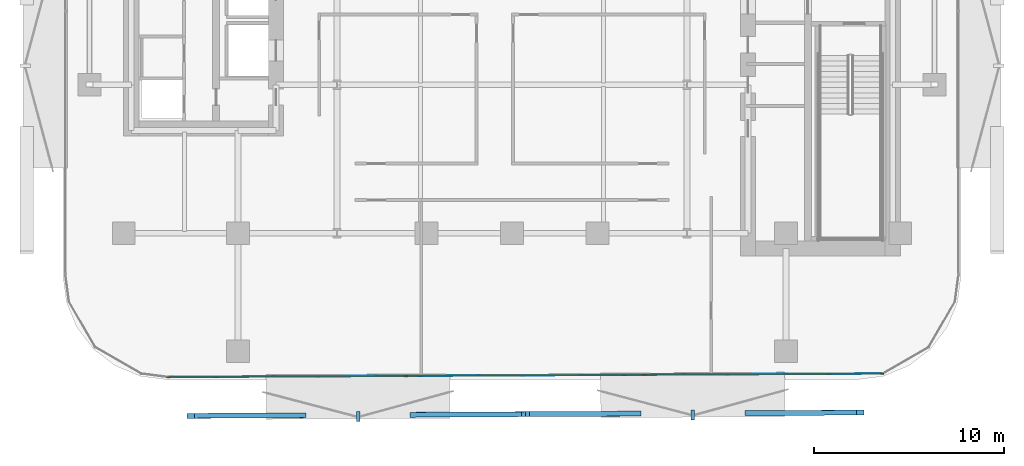
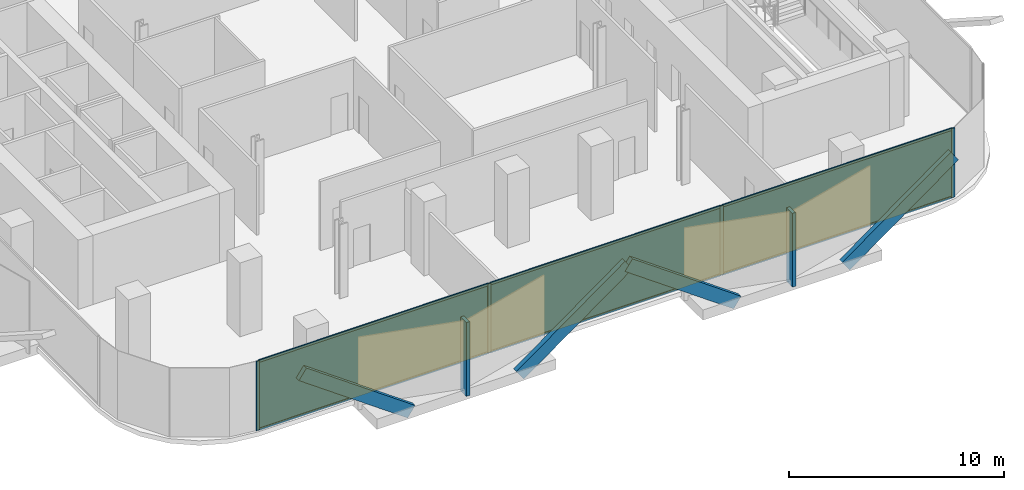
# One storey, part 7 of 15: 16 members, 3 plates, 1 curtain wall.
"""IFC4 building model written with IfcOpenShell, lengths in metres."""

from ifc_helpers import new_model, si_unit, direction, frame, frame_2d, origin, origin_2d, place, context, subcontext, project, spatial, rectangle, extrude, material, layer, layer_set, material_profile, profile_set, type_object, element, aggregate, save


model = new_model("IFC4")

# Units and contexts
model_context = context("Model", 3, precision=1e-05, world=origin(), true_north=direction((0.0, 1.0)))
body_context = subcontext(model_context, "Body", "Model", "MODEL_VIEW")
ifc_project = project(units=[si_unit("LENGTHUNIT", "METRE"), si_unit("AREAUNIT", "SQUARE_METRE"), si_unit("VOLUMEUNIT", "CUBIC_METRE"), si_unit("PLANEANGLEUNIT", "RADIAN"), si_unit("MASSUNIT", "GRAM", prefix="KILO")], contexts=[model_context])

# Member
ifc_material_1 = material(Name="Anodised Bronze Aluminium 6063-T6", Category="aluminium")
ifc_material_profile_1 = material_profile(ifc_material_1, rectangle(XDim=0.260009765625, YDim=0.699951171875, at=origin_2d()))
ifc_profile_set_1 = profile_set([ifc_material_profile_1], Name="Anodised Bronze Aluminium 6063-T6")
member_type_1 = type_object("IfcMemberType", Name="Bronze Diamond Solar-Screen Lattice Rib BDL-700", PredefinedType="MULLION", material=ifc_profile_set_1)
site_placement = place(None, origin())
building_placement = place(site_placement, origin())
storey_placement = place(building_placement, frame((0.0, 0.0, 114.199951171875)))
member_1_placement = place(storey_placement, frame((6.571044921875, -28.079345703125, -0.1298828125), z_axis=(-0.812934840677, -0.003994433113, 0.582340956243), x_axis=(-0.007759286777, 0.999962004517, -0.003972781225)))
member_1 = element("IfcMember", 1, at=member_1_placement, type_object=member_type_1, Name="L26 Bronze Diamond Solar Screen Lattice Rib 153A", PredefinedType="MULLION", context=body_context, shape_type="SweptSolid", body=[
    extrude(rectangle(XDim=0.260009765625, YDim=0.699951171875, at=origin_2d()), origin(), (0.0, 0.0, 1.0), 7.212158203125),
])

member_2_placement = place(storey_placement, frame((12.43408203125, -28.05078125, -0.1298828125), z_axis=(0.812934840677, 0.003994433113, 0.582340956243), x_axis=(0.007759286777, -0.999962004517, -0.003972781225)))
member_2 = element("IfcMember", 2, at=member_2_placement, type_object=member_type_1, Name="L26 Bronze Diamond Solar Screen Lattice Rib 153B", PredefinedType="MULLION", context=body_context, shape_type="SweptSolid", body=[
    extrude(rectangle(XDim=0.260009765625, YDim=0.699951171875, at=origin_2d()), origin(), (0.0, 0.0, 1.0), 7.212158203125),
])

member_3_placement = place(storey_placement, frame((-11.017822265625, -28.165283203125, -0.1298828125), z_axis=(-0.812934840677, -0.003994433113, 0.582340956243), x_axis=(-0.007759286777, 0.999962004517, -0.003972781225)))
member_3 = element("IfcMember", 3, at=member_3_placement, type_object=member_type_1, Name="L26 Bronze Diamond Solar Screen Lattice Rib 154A", PredefinedType="MULLION", context=body_context, shape_type="SweptSolid", body=[
    extrude(rectangle(XDim=0.260009765625, YDim=0.699951171875, at=origin_2d()), origin(), (0.0, 0.0, 1.0), 7.212158203125),
])

member_4_placement = place(storey_placement, frame((-5.15478515625, -28.13671875, -0.1298828125), z_axis=(0.812923469496, 0.00396069151, 0.582357060287), x_axis=(0.007717930273, -0.999962324795, -0.003972724849)))
member_4 = element("IfcMember", 4, at=member_4_placement, type_object=member_type_1, Name="L26 Bronze Diamond Solar Screen Lattice Rib 154B", PredefinedType="MULLION", context=body_context, shape_type="SweptSolid", body=[
    extrude(rectangle(XDim=0.260009765625, YDim=0.699951171875, at=origin_2d()), origin(), (0.0, 0.0, 1.0), 7.2119140625),
])

ifc_material_2 = material(Name="Anodised Bronze Aluminium 6063-T6", Category="aluminium")
ifc_material_profile_2 = material_profile(ifc_material_2, rectangle(XDim=0.179931640625, YDim=0.5400390625, at=origin_2d()))
ifc_profile_set_2 = profile_set([ifc_material_profile_2], Name="Anodised Bronze Aluminium 6063-T6")
member_type_2 = type_object("IfcMemberType", Name="Bronze Solar-Screen Vertical Fold Fin BSF-540", PredefinedType="MULLION", material=ifc_profile_set_2)
member_5_placement = place(storey_placement, frame((9.5029296875, -28.14501953125, -0.1298828125), z_axis=(0.0, 0.0, 1.0), x_axis=(-0.999988059021, -0.004886902454, 0.0)))
member_5 = element("IfcMember", 5, at=member_5_placement, type_object=member_type_2, Name="L26 Bronze Solar Screen Vertical Fin 153", PredefinedType="MULLION", context=body_context, shape_type="SweptSolid", body=[
    extrude(rectangle(XDim=0.179931640625, YDim=0.5400390625, at=origin_2d()), origin(), (0.0, 0.0, 1.0), 4.199951171875),
])

member_6_placement = place(storey_placement, frame((-8.0859375, -28.231201171875, -0.1298828125), z_axis=(0.0, 0.0, 1.0), x_axis=(-0.999988059021, -0.004886902454, 0.0)))
member_6 = element("IfcMember", 6, at=member_6_placement, type_object=member_type_2, Name="L26 Bronze Solar Screen Vertical Fin 154", PredefinedType="MULLION", context=body_context, shape_type="SweptSolid", body=[
    extrude(rectangle(XDim=0.179931640625, YDim=0.5400390625, at=origin_2d()), origin(), (0.0, 0.0, 1.0), 4.199951171875),
])

ifc_material_3 = material(Name="Anodised Bronze Aluminium 6063-T6", Category="aluminium")
ifc_material_profile_3 = material_profile(ifc_material_3, rectangle(XDim=0.06494140625, YDim=0.175048828125, at=origin_2d()))
ifc_profile_set_3 = profile_set([ifc_material_profile_3], Name="Anodised Bronze Aluminium 6063-T6")
member_type_3 = type_object("IfcMemberType", Name="CW-Z2 Mullion 65x175", PredefinedType="MULLION", material=ifc_profile_set_3)
member_7_placement = place(storey_placement, frame((19.45458984375, -25.976318359375, 0.0), z_axis=(0.0, 0.0, 1.0), x_axis=(0.004891127252, -0.999988038366, 0.0)))
member_7 = element("IfcMember", 7, at=member_7_placement, type_object=member_type_3, Name="CW-Z2 mullion 1", PredefinedType="MULLION", context=body_context, shape_type="SweptSolid", body=[
    extrude(rectangle(XDim=0.06494140625, YDim=0.175048828125, at=origin_2d()), origin(), (0.0, 0.0, 1.0), 3.93994140625),
])

member_8_placement = place(storey_placement, frame((6.961181640625, -26.037353515625, 0.0), z_axis=(0.0, 0.0, 1.0), x_axis=(0.004891127252, -0.999988038366, 0.0)))
member_8 = element("IfcMember", 8, at=member_8_placement, type_object=member_type_3, Name="CW-Z2 mullion 2", PredefinedType="MULLION", context=body_context, shape_type="SweptSolid", body=[
    extrude(rectangle(XDim=0.06494140625, YDim=0.175048828125, at=origin_2d()), origin(), (0.0, 0.0, 1.0), 3.93994140625),
])

member_9_placement = place(storey_placement, frame((-5.56494140625, -26.0986328125, 0.0), z_axis=(0.0, 0.0, 1.0), x_axis=(0.004891127252, -0.999988038366, 0.0)))
member_9 = element("IfcMember", 9, at=member_9_placement, type_object=member_type_3, Name="CW-Z2 mullion 3", PredefinedType="MULLION", context=body_context, shape_type="SweptSolid", body=[
    extrude(rectangle(XDim=0.06494140625, YDim=0.175048828125, at=origin_2d()), origin(), (0.0, 0.0, 1.0), 3.93994140625),
])

member_10_placement = place(storey_placement, frame((-18.058349609375, -26.159912109375, 0.0), z_axis=(0.0, 0.0, 1.0), x_axis=(0.004891127252, -0.999988038366, 0.0)))
member_10 = element("IfcMember", 10, at=member_10_placement, type_object=member_type_3, Name="CW-Z2 mullion 4", PredefinedType="MULLION", context=body_context, shape_type="SweptSolid", body=[
    extrude(rectangle(XDim=0.06494140625, YDim=0.175048828125, at=origin_2d()), origin(), (0.0, 0.0, 1.0), 3.93994140625),
])

ifc_material_4 = material(Name="Anodised Bronze Aluminium 6063-T6", Category="aluminium")
ifc_material_profile_4 = material_profile(ifc_material_4, rectangle(XDim=0.06494140625, YDim=0.135009765625, at=origin_2d()))
ifc_profile_set_4 = profile_set([ifc_material_profile_4], Name="Anodised Bronze Aluminium 6063-T6")
member_type_4 = type_object("IfcMemberType", Name="CW-Z2 Transom 65x135", PredefinedType="USERDEFINED", material=ifc_profile_set_4)
member_11_placement = place(storey_placement, frame((19.422119140625, -25.9765625, 0.032470703125), z_axis=(-0.999988037942, -0.00489121381, 0.0), x_axis=(0.00489121381, -0.999988037942, 0.0)))
member_11 = element("IfcMember", 11, at=member_11_placement, type_object=member_type_4, Name="CW-Z2 transom 1.1", ObjectType="TRANSOM", PredefinedType="USERDEFINED", context=body_context, shape_type="SweptSolid", body=[
    extrude(rectangle(XDim=0.06494140625, YDim=0.135009765625, at=origin_2d()), origin(), (0.0, 0.0, 1.0), 12.4287109375),
])

member_12_placement = place(storey_placement, frame((19.422119140625, -25.9765625, 3.907470703125), z_axis=(-0.999988037942, -0.00489121381, 0.0), x_axis=(0.00489121381, -0.999988037942, 0.0)))
member_12 = element("IfcMember", 12, at=member_12_placement, type_object=member_type_4, Name="CW-Z2 transom 1.2", ObjectType="TRANSOM", PredefinedType="USERDEFINED", context=body_context, shape_type="SweptSolid", body=[
    extrude(rectangle(XDim=0.06494140625, YDim=0.135009765625, at=origin_2d()), origin(), (0.0, 0.0, 1.0), 12.4287109375),
])

member_13_placement = place(storey_placement, frame((6.928466796875, -26.03759765625, 0.032470703125), z_axis=(-0.99998800443, -0.004898060367, 0.0), x_axis=(0.004898060367, -0.99998800443, 0.0)))
member_13 = element("IfcMember", 13, at=member_13_placement, type_object=member_type_4, Name="CW-Z2 transom 2.1", ObjectType="TRANSOM", PredefinedType="USERDEFINED", context=body_context, shape_type="SweptSolid", body=[
    extrude(rectangle(XDim=0.06494140625, YDim=0.135009765625, at=origin_2d()), origin(), (0.0, 0.0, 1.0), 12.461181640625),
])

member_14_placement = place(storey_placement, frame((6.928466796875, -26.03759765625, 3.907470703125), z_axis=(-0.99998800443, -0.004898060367, 0.0), x_axis=(0.004898060367, -0.99998800443, 0.0)))
member_14 = element("IfcMember", 14, at=member_14_placement, type_object=member_type_4, Name="CW-Z2 transom 2.2", ObjectType="TRANSOM", PredefinedType="USERDEFINED", context=body_context, shape_type="SweptSolid", body=[
    extrude(rectangle(XDim=0.06494140625, YDim=0.135009765625, at=origin_2d()), origin(), (0.0, 0.0, 1.0), 12.461181640625),
])

member_15_placement = place(storey_placement, frame((-5.597412109375, -26.098876953125, 0.032470703125), z_axis=(-0.999988037942, -0.00489121381, 0.0), x_axis=(0.00489121381, -0.999988037942, 0.0)))
member_15 = element("IfcMember", 15, at=member_15_placement, type_object=member_type_4, Name="CW-Z2 transom 3.1", ObjectType="TRANSOM", PredefinedType="USERDEFINED", context=body_context, shape_type="SweptSolid", body=[
    extrude(rectangle(XDim=0.06494140625, YDim=0.135009765625, at=origin_2d()), origin(), (0.0, 0.0, 1.0), 12.4287109375),
])

member_16_placement = place(storey_placement, frame((-5.597412109375, -26.098876953125, 3.907470703125), z_axis=(-0.999988037942, -0.00489121381, 0.0), x_axis=(0.00489121381, -0.999988037942, 0.0)))
member_16 = element("IfcMember", 16, at=member_16_placement, type_object=member_type_4, Name="CW-Z2 transom 3.2", ObjectType="TRANSOM", PredefinedType="USERDEFINED", context=body_context, shape_type="SweptSolid", body=[
    extrude(rectangle(XDim=0.06494140625, YDim=0.135009765625, at=origin_2d()), origin(), (0.0, 0.0, 1.0), 12.4287109375),
])

# Plate
ifc_material_5 = material(Name="Low-E Solar Control Laminated Glass", Category="glass")
ifc_layer_1 = layer(ifc_material_5, 0.028076171875, Name="Low-E Solar Control Laminated Glass")
ifc_layer_set_1 = layer_set([ifc_layer_1], Name="Low-E Solar Control Laminated Glass")
plate_type = type_object("IfcPlateType", Name="CW-Z2 Low-E Double Glazed Panel 28mm", PredefinedType="CURTAIN_PANEL", material=ifc_layer_set_1)
plate_1_placement = place(storey_placement, frame((13.207763671875, -26.0068359375, 0.06494140625), z_axis=(0.0, 0.0, 1.0), x_axis=(-0.999988038366, -0.004891127252, 0.0)))
plate_1 = element("IfcPlate", 17, at=plate_1_placement, type_object=plate_type, Name="CW-Z2 panel 1.1", PredefinedType="CURTAIN_PANEL", context=body_context, shape_type="SweptSolid", body=[
    extrude(rectangle(XDim=12.428466796875, YDim=0.028076171875, at=origin_2d()), origin(), (0.0, 0.0, 1.0), 3.81005859375),
])

plate_2_placement = place(storey_placement, frame((0.697998046875, -26.068115234375, 0.06494140625), z_axis=(0.0, 0.0, 1.0), x_axis=(-0.999988038366, -0.004891127252, 0.0)))
plate_2 = element("IfcPlate", 18, at=plate_2_placement, type_object=plate_type, Name="CW-Z2 panel 2.1", PredefinedType="CURTAIN_PANEL", context=body_context, shape_type="SweptSolid", body=[
    extrude(rectangle(XDim=12.461181640625, YDim=0.028076171875, at=origin_2d()), origin(), (0.0, 0.0, 1.0), 3.81005859375),
])

plate_3_placement = place(storey_placement, frame((-11.8115234375, -26.12939453125, 0.06494140625), z_axis=(0.0, 0.0, 1.0), x_axis=(-0.999988038366, -0.004891127252, 0.0)))
plate_3 = element("IfcPlate", 19, at=plate_3_placement, type_object=plate_type, Name="CW-Z2 panel 3.1", PredefinedType="CURTAIN_PANEL", context=body_context, shape_type="SweptSolid", body=[
    extrude(rectangle(XDim=12.428466796875, YDim=0.028076171875, at=origin_2d()), origin(), (0.0, 0.0, 1.0), 3.81005859375),
])

# Site, building, storey
site = spatial("IfcSite", under=ifc_project, at=site_placement, CompositionType="ELEMENT")
building = spatial("IfcBuilding", under=site, at=building_placement, Name="Khairoan Windgate Tower", CompositionType="ELEMENT")
storey = spatial("IfcBuildingStorey", under=building, at=storey_placement, Name="L26", CompositionType="ELEMENT", Elevation=114.199951171875)

# Curtain wall
ifc_material_6 = material(Name="Anodised Bronze Aluminium 6063-T6", Category="aluminium")
ifc_layer_2 = layer(ifc_material_6, 0.175048828125, Name="Anodised Bronze Aluminium 6063-T6")
ifc_layer_set_2 = layer_set([ifc_layer_2], Name="Anodised Bronze Aluminium 6063-T6")
curtain_wall_type = type_object("IfcCurtainWallType", Name="Mid-Rise Office Unitised Curtain Wall CW-Z2", PredefinedType="NOTDEFINED", material=ifc_layer_set_2)
curtain_wall_placement = place(storey_placement, frame((19.487060546875, -25.976318359375, 0.0), z_axis=(0.0, 0.0, 1.0), x_axis=(-0.999988065247, -0.004885628318, 0.0)))
curtain_wall = element("IfcCurtainWall", 20, at=curtain_wall_placement, inside=storey, type_object=curtain_wall_type, Name="L26 Unitised Curtain Wall 1", PredefinedType="NOTDEFINED", context=body_context, shape_type="SweptSolid", body=[
    extrude(rectangle(XDim=37.578369140625, YDim=0.010009765625, at=frame_2d((18.7890625, 0.0))), origin(), (0.0, 0.0, 1.0), 3.93994140625),
])

aggregate(curtain_wall, [member_7, member_8, member_9, member_10, member_11, member_12, plate_1, member_13, member_14, plate_2, member_15, member_16, plate_3, member_1, member_2, member_5, member_3, member_4, member_6])

save(model, "model.ifc")
